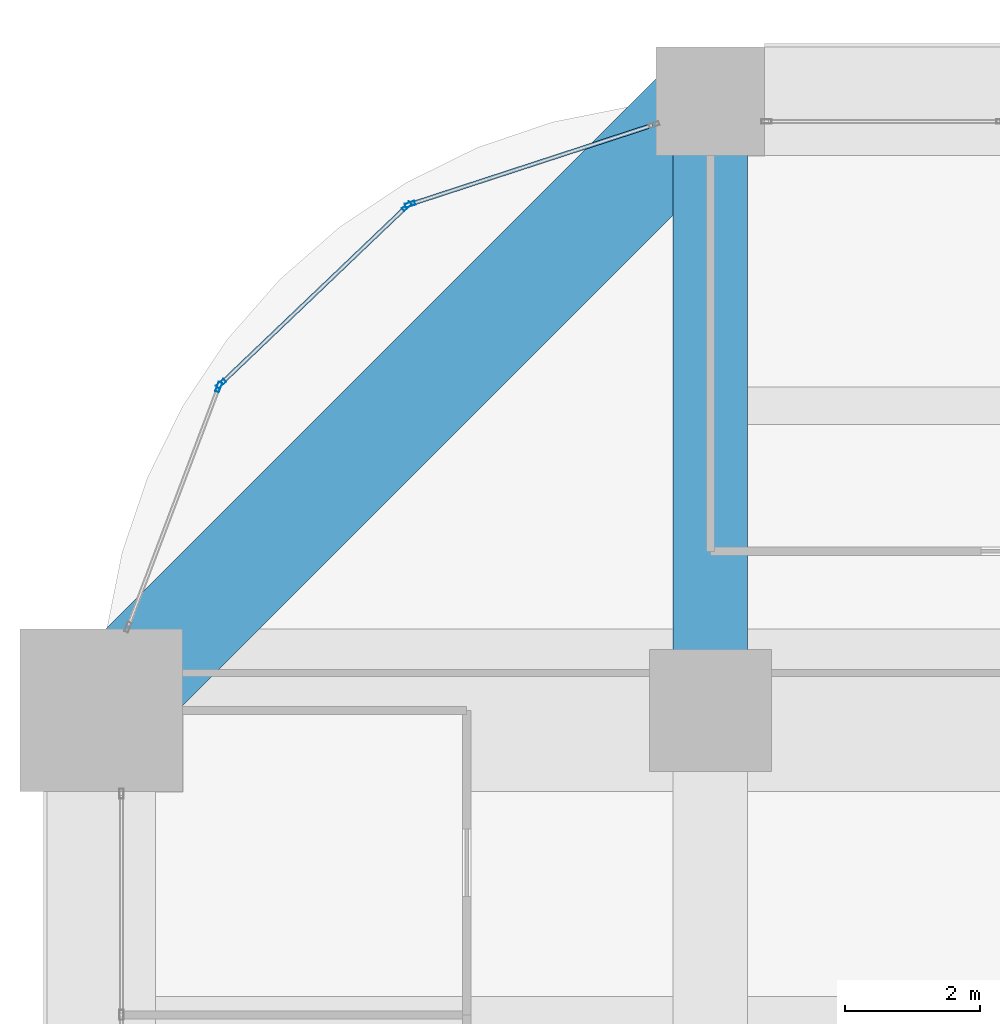
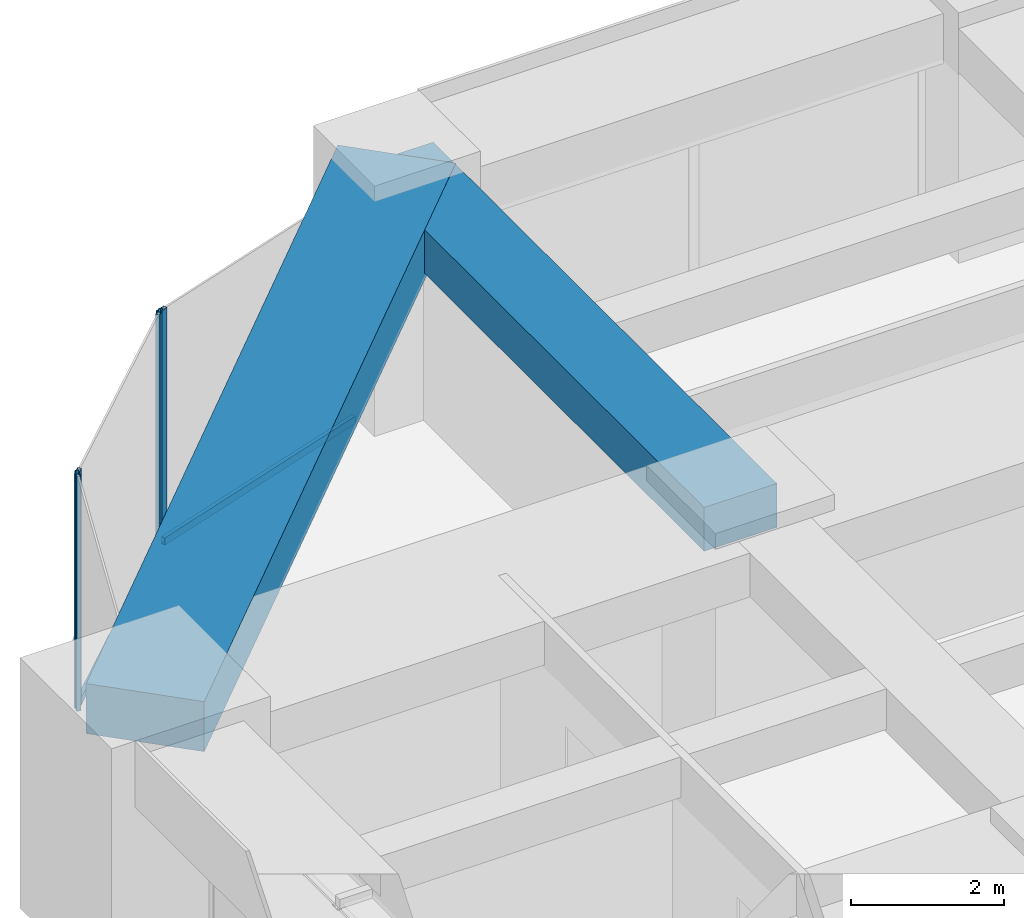
# One storey, part 26 of 43: 6 members, 2 beams, 3 elements without a shape of their own.
"""IFC4 building model written with IfcOpenShell, lengths in metres."""

from ifc_helpers import new_model, si_unit, direction, frame, origin, origin_2d, place, context, subcontext, project, spatial, rectangle, hollow_rectangle, extrude, material, material_profile, profile_set, type_object, element, aggregate, save


model = new_model("IFC4")

# Units and contexts
model_context = context("Model", 3, precision=1e-05, world=origin(), true_north=direction((0.0, 1.0)))
body_context = subcontext(model_context, "Body", "Model", "MODEL_VIEW")
ifc_project = project(units=[si_unit("LENGTHUNIT", "METRE"), si_unit("AREAUNIT", "SQUARE_METRE"), si_unit("VOLUMEUNIT", "CUBIC_METRE"), si_unit("PLANEANGLEUNIT", "RADIAN"), si_unit("MASSUNIT", "GRAM", prefix="KILO")], contexts=[model_context])

# Site, building, storey
site_placement = place(None, origin())
site = spatial("IfcSite", under=ifc_project, at=site_placement, CompositionType="ELEMENT")
building_placement = place(site_placement, origin())
building = spatial("IfcBuilding", under=site, at=building_placement, Name="Zorevar Civic Tower", CompositionType="ELEMENT")
storey_placement = place(building_placement, frame((0.0, 0.0, 141.0)))
storey = spatial("IfcBuildingStorey", under=building, at=storey_placement, Name="L34", CompositionType="ELEMENT", Elevation=141.0)

# Beam
ifc_material_1 = material(Name="Concrete C50/60", Category="concrete")
ifc_material_profile_1 = material_profile(ifc_material_1, rectangle(XDim=1.10009765625, YDim=0.699951171875, at=origin_2d()), Name="RC 1100x700")
ifc_profile_set_1 = profile_set([ifc_material_profile_1], Name="Concrete C50/60")
beam_type_1 = type_object("IfcBeamType", Name="Beam RC 1100x700", PredefinedType="BEAM", material=ifc_profile_set_1)
beam_1_placement = place(storey_placement, frame((9.0, 36.0, 3.39990234375), z_axis=(0.0, 1.0, 0.0), x_axis=(-1.0, 0.0, 0.0)))
element("IfcBeam", 1, at=beam_1_placement, inside=storey, type_object=beam_type_1, Name="Girder L35", PredefinedType="BEAM", context=body_context, shape_type="SweptSolid", body=[
    extrude(rectangle(XDim=1.10009765625, YDim=0.699951171875, at=origin_2d()), origin(), (0.0, 0.0, 1.0), 9.0),
])

# Curtain wall, member
ifc_material_2 = material(Name="Dark grey solar-control glass in black aluminium frame", Category="aluminium")
curtain_wall_type = type_object("IfcCurtainWallType", Name="Curtain wall CW3 mid zone", PredefinedType="NOTDEFINED", material=ifc_material_2)
curtain_wall_1_placement = place(storey_placement, origin())
curtain_wall_1 = element("IfcCurtainWall", 2, at=curtain_wall_1_placement, inside=storey, type_object=curtain_wall_type, Name="CW3 L34", PredefinedType="NOTDEFINED")
ifc_material_3 = material(Name="Aluminium, black anodised", Category="aluminium")
ifc_material_profile_2 = material_profile(ifc_material_3, hollow_rectangle(XDim=0.06005859375, YDim=0.14990234375, WallThickness=0.00390625, at=origin_2d()), Name="AL 150x60x4")
ifc_profile_set_2 = profile_set([ifc_material_profile_2], Name="Aluminium, black anodised")
member_type_1 = type_object("IfcMemberType", Name="CW3 mullion AL 150x60x4", PredefinedType="MULLION", material=ifc_profile_set_2)
member_1_placement = place(storey_placement, frame((4.56396484375, 43.476318359375, 0.0), z_axis=(0.0, 0.0, 1.0), x_axis=(0.310263169163, -0.950650706548, 0.0)))
member_1 = element("IfcMember", 3, at=member_1_placement, type_object=member_type_1, Name="CW3 mullion 2", PredefinedType="MULLION", context=body_context, shape_type="SweptSolid", body=[
    extrude(hollow_rectangle(XDim=0.06005859375, YDim=0.14990234375, WallThickness=0.00390625, at=origin_2d()), origin(), (0.0, 0.0, 1.0), 3.75),
])

# Curtain wall, members
curtain_wall_2_placement = place(storey_placement, origin())
curtain_wall_2 = element("IfcCurtainWall", 4, at=curtain_wall_2_placement, inside=storey, type_object=curtain_wall_type, Name="CW3 L34", PredefinedType="NOTDEFINED")
member_2_placement = place(storey_placement, frame((4.513916015625, 43.4462890625, 0.0), z_axis=(0.0, 0.0, 1.0), x_axis=(0.690545329292, -0.723289117983, 0.0)))
member_2 = element("IfcMember", 5, at=member_2_placement, type_object=member_type_1, Name="CW3 mullion 1", PredefinedType="MULLION", context=body_context, shape_type="SweptSolid", body=[
    extrude(hollow_rectangle(XDim=0.06005859375, YDim=0.14990234375, WallThickness=0.00390625, at=origin_2d()), origin(), (0.0, 0.0, 1.0), 3.75),
])
member_3_placement = place(storey_placement, frame((1.76904296875, 40.825927734375, 0.0), z_axis=(0.0, 0.0, 1.0), x_axis=(0.690545329292, -0.723289117983, 0.0)))
member_3 = element("IfcMember", 6, at=member_3_placement, type_object=member_type_1, Name="CW3 mullion 2", PredefinedType="MULLION", context=body_context, shape_type="SweptSolid", body=[
    extrude(hollow_rectangle(XDim=0.06005859375, YDim=0.14990234375, WallThickness=0.00390625, at=origin_2d()), origin(), (0.0, 0.0, 1.0), 3.75),
])

# Curtain wall, member
curtain_wall_3_placement = place(storey_placement, origin())
curtain_wall_3 = element("IfcCurtainWall", 7, at=curtain_wall_3_placement, inside=storey, type_object=curtain_wall_type, Name="CW3 L34", PredefinedType="NOTDEFINED")
member_4_placement = place(storey_placement, frame((1.73681640625, 40.777099609375, 0.0), z_axis=(0.0, 0.0, 1.0), x_axis=(0.935276561184, -0.353917722218, 0.0)))
member_4 = element("IfcMember", 8, at=member_4_placement, type_object=member_type_1, Name="CW3 mullion 1", PredefinedType="MULLION", context=body_context, shape_type="SweptSolid", body=[
    extrude(hollow_rectangle(XDim=0.06005859375, YDim=0.14990234375, WallThickness=0.00390625, at=origin_2d()), origin(), (0.0, 0.0, 1.0), 3.75),
])
aggregate(curtain_wall_3, [member_4])

# Member
ifc_material_4 = material(Name="Aluminium, black anodised", Category="aluminium")
ifc_material_profile_3 = material_profile(ifc_material_4, hollow_rectangle(XDim=0.06005859375, YDim=0.1201171875, WallThickness=0.0029296875, at=origin_2d()), Name="AL 120x60x3")
ifc_profile_set_3 = profile_set([ifc_material_profile_3], Name="Aluminium, black anodised")
member_type_2 = type_object("IfcMemberType", Name="CW3 transom AL 120x60x3", PredefinedType="USERDEFINED", material=ifc_profile_set_3)
member_5_placement = place(storey_placement, frame((8.14306640625, 44.64453125, 0.030029296875), z_axis=(-0.950638909659, -0.310299312669, 0.0), x_axis=(0.310299312669, -0.950638909659, 0.0)))
member_5 = element("IfcMember", 9, at=member_5_placement, type_object=member_type_2, Name="CW3 sill transom", ObjectType="TRANSOM", PredefinedType="USERDEFINED", context=body_context, shape_type="SweptSolid", body=[
    extrude(hollow_rectangle(XDim=0.06005859375, YDim=0.1201171875, WallThickness=0.0029296875, at=origin_2d()), origin(), (0.0, 0.0, 1.0), 3.73486328125),
])

aggregate(curtain_wall_1, [member_1, member_5])

member_6_placement = place(storey_placement, frame((4.4921875, 43.425537109375, 0.030029296875), z_axis=(-0.723324377588, -0.690508395884, 0.0), x_axis=(0.690508395884, -0.723324377588, 0.0)))
member_6 = element("IfcMember", 10, at=member_6_placement, type_object=member_type_2, Name="CW3 sill transom", ObjectType="TRANSOM", PredefinedType="USERDEFINED", context=body_context, shape_type="SweptSolid", body=[
    extrude(hollow_rectangle(XDim=0.06005859375, YDim=0.1201171875, WallThickness=0.0029296875, at=origin_2d()), origin(), (0.0, 0.0, 1.0), 3.734619140625),
])

aggregate(curtain_wall_2, [member_2, member_3, member_6])

# Beam
ifc_material_5 = material(Name="Concrete C50/60", Category="concrete")
ifc_material_profile_4 = material_profile(ifc_material_5, rectangle(XDim=1.60009765625, YDim=0.800048828125, at=origin_2d()), Name="RC 1600x800")
ifc_profile_set_4 = profile_set([ifc_material_profile_4], Name="Concrete C50/60")
beam_type_2 = type_object("IfcBeamType", Name="Edge beam RC 1600x800", PredefinedType="SPANDREL", material=ifc_profile_set_4)
beam_2_placement = place(storey_placement, frame((9.0, 45.0, 3.35009765625), z_axis=(-0.707106781187, -0.707106781187, 0.0), x_axis=(0.707106781187, -0.707106781187, 0.0)))
element("IfcBeam", 11, at=beam_2_placement, inside=storey, type_object=beam_type_2, Name="Corner edge beam L35", PredefinedType="SPANDREL", context=body_context, shape_type="SweptSolid", body=[
    extrude(rectangle(XDim=1.60009765625, YDim=0.800048828125, at=origin_2d()), origin(), (0.0, 0.0, 1.0), 12.72802734375),
])

save(model, "model.ifc")
